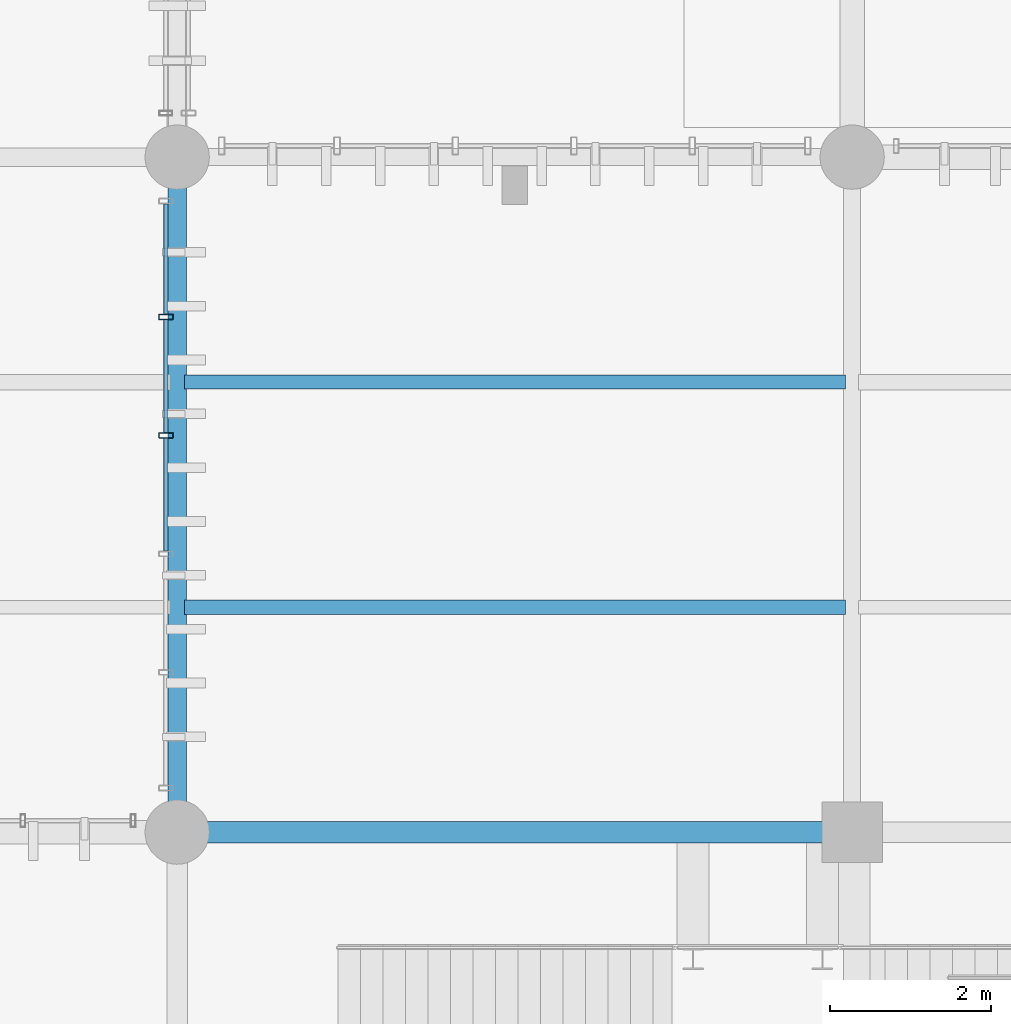
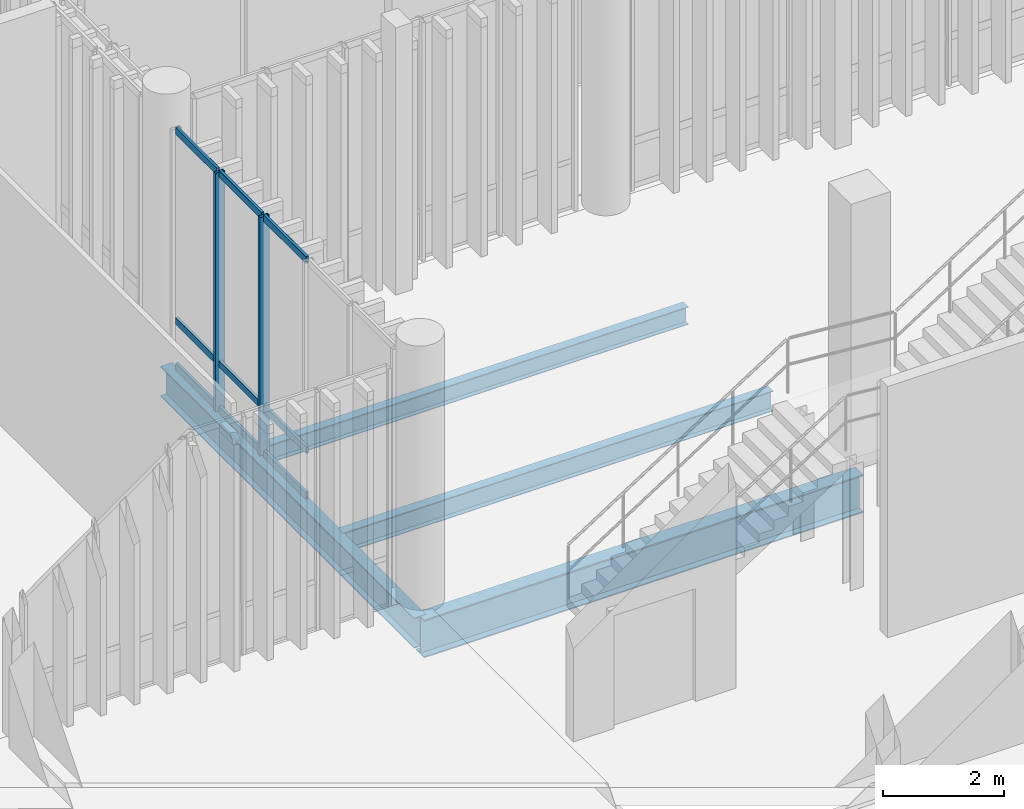
# One storey, part 22 of 112: 11 members, 4 beams, 1 element without a shape of its own.
"""IFC4 building model written with IfcOpenShell, lengths in metres."""

from ifc_helpers import new_model, si_unit, direction, frame, origin_with_axes, origin_2d_with_axis, place, context, subcontext, project, spatial, hollow_rectangle, i_section, extrude, material, material_profile, profile_set, type_object, element, aggregate, save


model = new_model("IFC4")

# Units and contexts
model_context = context("Model", 3, precision=1e-05, world=origin_with_axes(), true_north=direction((0.0, 1.0)))
body_context = subcontext(model_context, "Body", "Model", "MODEL_VIEW")
ifc_project = project(units=[si_unit("LENGTHUNIT", "METRE"), si_unit("AREAUNIT", "SQUARE_METRE"), si_unit("VOLUMEUNIT", "CUBIC_METRE"), si_unit("PLANEANGLEUNIT", "RADIAN"), si_unit("MASSUNIT", "GRAM", prefix="KILO"), si_unit("THERMODYNAMICTEMPERATUREUNIT", "KELVIN")], contexts=[model_context])

# Site, building, storey
site_placement = place(None, origin_with_axes())
site = spatial("IfcSite", under=ifc_project, at=site_placement, CompositionType="ELEMENT")
building_placement = place(site_placement, origin_with_axes())
building = spatial("IfcBuilding", under=site, at=building_placement, Name="Montbau Bow Law Courts", CompositionType="ELEMENT")
storey_placement = place(building_placement, origin_with_axes())
storey = spatial("IfcBuildingStorey", under=building, at=storey_placement, Name="L00", CompositionType="ELEMENT", Elevation=0.0)

# Beams
ifc_material_1 = material(Name="Steel CSA G40.21 Grade 350W (350 MPa)", Category="steel")
ifc_material_profile_1 = material_profile(ifc_material_1, i_section(OverallWidth=0.267, OverallDepth=0.766, WebThickness=0.0149, FlangeThickness=0.0236, at=origin_2d_with_axis()), Name="W760X185", Category="Main", Priority=0)
ifc_profile_set_1 = profile_set([ifc_material_profile_1], Name="Steel CSA G40.21 Grade 350W (350 MPa)")
beam_type_1 = type_object("IfcBeamType", Name="B-FLR-03", PredefinedType="BEAM", material=ifc_profile_set_1)
beam_1_placement = place(None, frame((46.8, 30.6, -0.723), z_axis=(1.0, 0.0, 0.0), x_axis=(0.0, 1.0, 0.0)))
element("IfcBeam", 1, at=beam_1_placement, inside=storey, type_object=beam_type_1, Name="BM-L00-S0174:bm2_0177", PredefinedType="BEAM", context=body_context, shape_type="SweptSolid", body=[
    extrude(i_section(OverallWidth=0.267, OverallDepth=0.766, WebThickness=0.0149, FlangeThickness=0.0236, at=origin_2d_with_axis()), origin_with_axes(), (0.0, 0.0, 1.0), 8.4),
])
ifc_material_profile_2 = material_profile(ifc_material_1, i_section(OverallWidth=0.229, OverallDepth=0.612, WebThickness=0.0119, FlangeThickness=0.0196, at=origin_2d_with_axis()), Name="W610X125", Category="Main", Priority=0)
ifc_profile_set_2 = profile_set([ifc_material_profile_2], Name="Steel CSA G40.21 Grade 350W (350 MPa)")
beam_type_2 = type_object("IfcBeamType", Name="B-FLR-05", PredefinedType="BEAM", material=ifc_profile_set_2)
beam_2_placement = place(None, frame((46.8, 30.6, -0.646), z_axis=(0.0, 1.0, 0.0), x_axis=(-1.0, 0.0, 0.0)))
element("IfcBeam", 2, at=beam_2_placement, inside=storey, type_object=beam_type_2, Name="BM-L00-S0270:bm2_0273", PredefinedType="BEAM", context=body_context, shape_type="SweptSolid", body=[
    extrude(i_section(OverallWidth=0.229, OverallDepth=0.612, WebThickness=0.0119, FlangeThickness=0.0196, at=origin_2d_with_axis()), origin_with_axes(), (0.0, 0.0, 1.0), 8.4),
])
ifc_material_profile_3 = material_profile(ifc_material_1, i_section(OverallWidth=0.179, OverallDepth=0.41, WebThickness=0.0088, FlangeThickness=0.0144, at=origin_2d_with_axis()), Name="W410X67", Category="Main", Priority=0)
ifc_profile_set_3 = profile_set([ifc_material_profile_3], Name="Steel CSA G40.21 Grade 350W (350 MPa)")
beam_type_3 = type_object("IfcBeamType", Name="B-JST-02", PredefinedType="JOIST", material=ifc_profile_set_3)
beam_3_placement = place(None, frame((46.89, 33.4, -0.545), z_axis=(1.0, 0.0, 0.0), x_axis=(0.0, 1.0, 0.0)))
element("IfcBeam", 3, at=beam_3_placement, inside=storey, type_object=beam_type_3, Name="JST-L00-S0045:jst2_0045", PredefinedType="JOIST", context=body_context, shape_type="SweptSolid", body=[
    extrude(i_section(OverallWidth=0.179, OverallDepth=0.41, WebThickness=0.0088, FlangeThickness=0.0144, at=origin_2d_with_axis()), origin_with_axes(), (0.0, 0.0, 1.0), 8.229),
])
ifc_material_profile_4 = material_profile(ifc_material_1, i_section(OverallWidth=0.172, OverallDepth=0.358, WebThickness=0.0079, FlangeThickness=0.0131, at=origin_2d_with_axis()), Name="W360X57", Category="Main", Priority=0)
ifc_profile_set_4 = profile_set([ifc_material_profile_4], Name="Steel CSA G40.21 Grade 350W (350 MPa)")
beam_type_4 = type_object("IfcBeamType", Name="B-JST-03", PredefinedType="JOIST", material=ifc_profile_set_4)
beam_4_placement = place(None, frame((46.89, 36.2, -0.519), z_axis=(1.0, 0.0, 0.0), x_axis=(0.0, 1.0, 0.0)))
element("IfcBeam", 4, at=beam_4_placement, inside=storey, type_object=beam_type_4, Name="JST-L00-S0046:jst2_0046", PredefinedType="JOIST", context=body_context, shape_type="SweptSolid", body=[
    extrude(i_section(OverallWidth=0.172, OverallDepth=0.358, WebThickness=0.0079, FlangeThickness=0.0131, at=origin_2d_with_axis()), origin_with_axes(), (0.0, 0.0, 1.0), 8.229),
])

# Curtain wall, members
ifc_material_2 = material(Name="Thermally Broken Extruded Aluminium AA 6063-T6", Category="aluminium")
curtain_wall_type = type_object("IfcCurtainWallType", Name="CW-TRC-01", PredefinedType="NOTDEFINED", material=ifc_material_2)
curtain_wall_placement = place(None, frame((46.66, 31.115, 0.0), z_axis=(0.0, 0.0, 1.0), x_axis=(1.0, 0.0, 0.0)))
curtain_wall = element("IfcCurtainWall", 5, at=curtain_wall_placement, inside=storey, type_object=curtain_wall_type, Name="CW-L00-013:cw_0013", PredefinedType="NOTDEFINED")
ifc_material_profile_5 = material_profile(ifc_material_2, hollow_rectangle(XDim=0.065, YDim=0.18, WallThickness=0.005, InnerFilletRadius=0.01, OuterFilletRadius=0.005, at=origin_2d_with_axis()), Name="CWM-180X65", Category="Main", Priority=0)
ifc_profile_set_5 = profile_set([ifc_material_profile_5], Name="Thermally Broken Extruded Aluminium AA 6063-T6")
member_type_1 = type_object("IfcMemberType", Name="M-MUL-02", PredefinedType="MULLION", material=ifc_profile_set_5)
member_1_placement = place(None, frame((46.66, 35.537, 0.0), z_axis=(0.0, 0.0, 1.0), x_axis=(0.0, 1.0, 0.0)))
member_1 = element("IfcMember", 6, at=member_1_placement, type_object=member_type_1, Name="CW-L00-013-M04:cw_0013_M04", PredefinedType="MULLION", context=body_context, shape_type="SweptSolid", body=[
    extrude(hollow_rectangle(XDim=0.065, YDim=0.18, WallThickness=0.005, InnerFilletRadius=0.01, OuterFilletRadius=0.005, at=origin_2d_with_axis()), origin_with_axes(), (0.0, 0.0, 1.0), 4.82),
])
member_2_placement = place(None, frame((46.66, 37.011, 0.0), z_axis=(0.0, 0.0, 1.0), x_axis=(0.0, 1.0, 0.0)))
member_2 = element("IfcMember", 7, at=member_2_placement, type_object=member_type_1, Name="CW-L00-013-M05:cw_0013_M05", PredefinedType="MULLION", context=body_context, shape_type="SweptSolid", body=[
    extrude(hollow_rectangle(XDim=0.065, YDim=0.18, WallThickness=0.005, InnerFilletRadius=0.01, OuterFilletRadius=0.005, at=origin_2d_with_axis()), origin_with_axes(), (0.0, 0.0, 1.0), 4.82),
])
ifc_material_profile_6 = material_profile(ifc_material_2, hollow_rectangle(XDim=0.055, YDim=0.14, WallThickness=0.004, InnerFilletRadius=0.008, OuterFilletRadius=0.004, at=origin_2d_with_axis()), Name="CWT-140X55", Category="Main", Priority=0)
ifc_profile_set_6 = profile_set([ifc_material_profile_6], Name="Thermally Broken Extruded Aluminium AA 6063-T6")
member_type_2 = type_object("IfcMemberType", Name="M-TRN-02", PredefinedType="USERDEFINED", material=ifc_profile_set_6)
member_3_placement = place(None, frame((46.66, 34.097, 0.028), z_axis=(0.0, 1.0, 0.0), x_axis=(-1.0, 0.0, 0.0)))
member_3 = element("IfcMember", 8, at=member_3_placement, type_object=member_type_2, Name="CW-L00-013-T03-1:cw_0013_T03_1", ObjectType="TRANSOM", PredefinedType="USERDEFINED", context=body_context, shape_type="SweptSolid", body=[
    extrude(hollow_rectangle(XDim=0.055, YDim=0.14, WallThickness=0.004, InnerFilletRadius=0.008, OuterFilletRadius=0.004, at=origin_2d_with_axis()), origin_with_axes(), (0.0, 0.0, 1.0), 1.406),
])
member_4_placement = place(None, frame((46.66, 34.097, 0.95), z_axis=(0.0, 1.0, 0.0), x_axis=(-1.0, 0.0, 0.0)))
member_4 = element("IfcMember", 9, at=member_4_placement, type_object=member_type_2, Name="CW-L00-013-T03-2:cw_0013_T03_2", ObjectType="TRANSOM", PredefinedType="USERDEFINED", context=body_context, shape_type="SweptSolid", body=[
    extrude(hollow_rectangle(XDim=0.055, YDim=0.14, WallThickness=0.004, InnerFilletRadius=0.008, OuterFilletRadius=0.004, at=origin_2d_with_axis()), origin_with_axes(), (0.0, 0.0, 1.0), 1.406),
])
member_5_placement = place(None, frame((46.66, 34.097, 4.793), z_axis=(0.0, 1.0, 0.0), x_axis=(-1.0, 0.0, 0.0)))
member_5 = element("IfcMember", 10, at=member_5_placement, type_object=member_type_2, Name="CW-L00-013-T03-3:cw_0013_T03_3", ObjectType="TRANSOM", PredefinedType="USERDEFINED", context=body_context, shape_type="SweptSolid", body=[
    extrude(hollow_rectangle(XDim=0.055, YDim=0.14, WallThickness=0.004, InnerFilletRadius=0.008, OuterFilletRadius=0.004, at=origin_2d_with_axis()), origin_with_axes(), (0.0, 0.0, 1.0), 1.406),
])
member_6_placement = place(None, frame((46.66, 35.571, 0.028), z_axis=(0.0, 1.0, 0.0), x_axis=(-1.0, 0.0, 0.0)))
member_6 = element("IfcMember", 11, at=member_6_placement, type_object=member_type_2, Name="CW-L00-013-T04-1:cw_0013_T04_1", ObjectType="TRANSOM", PredefinedType="USERDEFINED", context=body_context, shape_type="SweptSolid", body=[
    extrude(hollow_rectangle(XDim=0.055, YDim=0.14, WallThickness=0.004, InnerFilletRadius=0.008, OuterFilletRadius=0.004, at=origin_2d_with_axis()), origin_with_axes(), (0.0, 0.0, 1.0), 1.406),
])
member_7_placement = place(None, frame((46.66, 35.571, 0.95), z_axis=(0.0, 1.0, 0.0), x_axis=(-1.0, 0.0, 0.0)))
member_7 = element("IfcMember", 12, at=member_7_placement, type_object=member_type_2, Name="CW-L00-013-T04-2:cw_0013_T04_2", ObjectType="TRANSOM", PredefinedType="USERDEFINED", context=body_context, shape_type="SweptSolid", body=[
    extrude(hollow_rectangle(XDim=0.055, YDim=0.14, WallThickness=0.004, InnerFilletRadius=0.008, OuterFilletRadius=0.004, at=origin_2d_with_axis()), origin_with_axes(), (0.0, 0.0, 1.0), 1.406),
])
member_8_placement = place(None, frame((46.66, 35.571, 4.793), z_axis=(0.0, 1.0, 0.0), x_axis=(-1.0, 0.0, 0.0)))
member_8 = element("IfcMember", 13, at=member_8_placement, type_object=member_type_2, Name="CW-L00-013-T04-3:cw_0013_T04_3", ObjectType="TRANSOM", PredefinedType="USERDEFINED", context=body_context, shape_type="SweptSolid", body=[
    extrude(hollow_rectangle(XDim=0.055, YDim=0.14, WallThickness=0.004, InnerFilletRadius=0.008, OuterFilletRadius=0.004, at=origin_2d_with_axis()), origin_with_axes(), (0.0, 0.0, 1.0), 1.406),
])
member_9_placement = place(None, frame((46.66, 37.045, 0.028), z_axis=(0.0, 1.0, 0.0), x_axis=(-1.0, 0.0, 0.0)))
member_9 = element("IfcMember", 14, at=member_9_placement, type_object=member_type_2, Name="CW-L00-013-T05-1:cw_0013_T05_1", ObjectType="TRANSOM", PredefinedType="USERDEFINED", context=body_context, shape_type="SweptSolid", body=[
    extrude(hollow_rectangle(XDim=0.055, YDim=0.14, WallThickness=0.004, InnerFilletRadius=0.008, OuterFilletRadius=0.004, at=origin_2d_with_axis()), origin_with_axes(), (0.0, 0.0, 1.0), 1.374),
])
member_10_placement = place(None, frame((46.66, 37.045, 0.95), z_axis=(0.0, 1.0, 0.0), x_axis=(-1.0, 0.0, 0.0)))
member_10 = element("IfcMember", 15, at=member_10_placement, type_object=member_type_2, Name="CW-L00-013-T05-2:cw_0013_T05_2", ObjectType="TRANSOM", PredefinedType="USERDEFINED", context=body_context, shape_type="SweptSolid", body=[
    extrude(hollow_rectangle(XDim=0.055, YDim=0.14, WallThickness=0.004, InnerFilletRadius=0.008, OuterFilletRadius=0.004, at=origin_2d_with_axis()), origin_with_axes(), (0.0, 0.0, 1.0), 1.374),
])
member_11_placement = place(None, frame((46.66, 37.045, 4.793), z_axis=(0.0, 1.0, 0.0), x_axis=(-1.0, 0.0, 0.0)))
member_11 = element("IfcMember", 16, at=member_11_placement, type_object=member_type_2, Name="CW-L00-013-T05-3:cw_0013_T05_3", ObjectType="TRANSOM", PredefinedType="USERDEFINED", context=body_context, shape_type="SweptSolid", body=[
    extrude(hollow_rectangle(XDim=0.055, YDim=0.14, WallThickness=0.004, InnerFilletRadius=0.008, OuterFilletRadius=0.004, at=origin_2d_with_axis()), origin_with_axes(), (0.0, 0.0, 1.0), 1.374),
])
aggregate(curtain_wall, [member_1, member_2, member_3, member_4, member_5, member_6, member_7, member_8, member_9, member_10, member_11])

save(model, "model.ifc")
